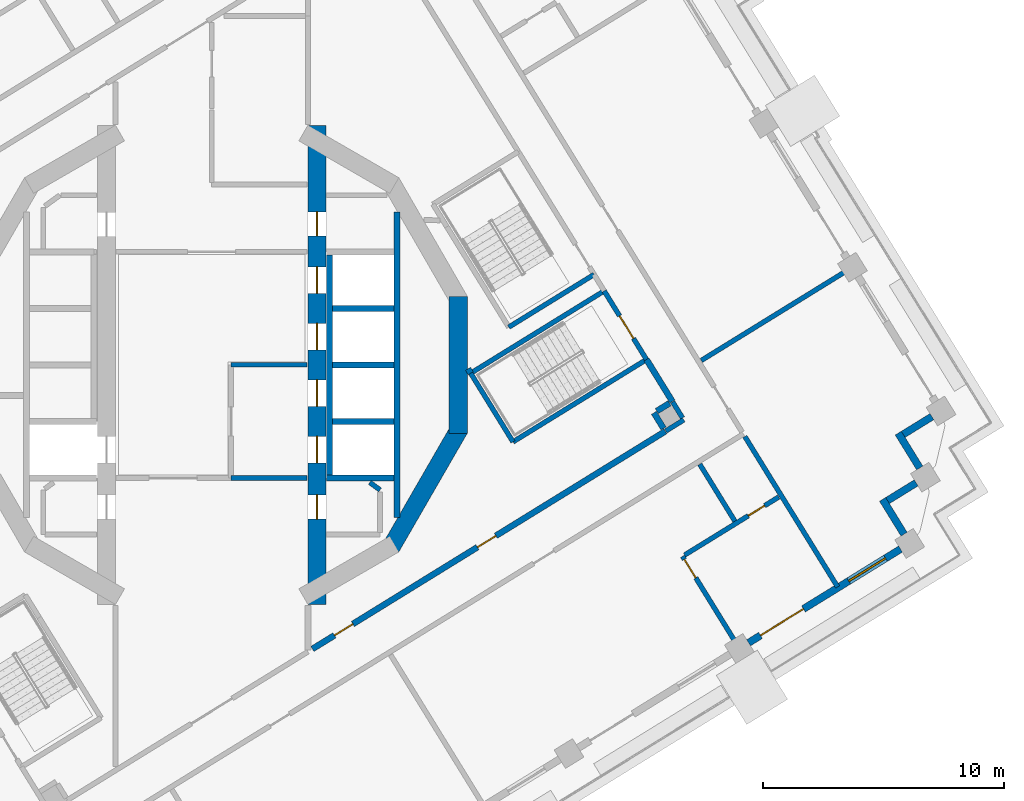
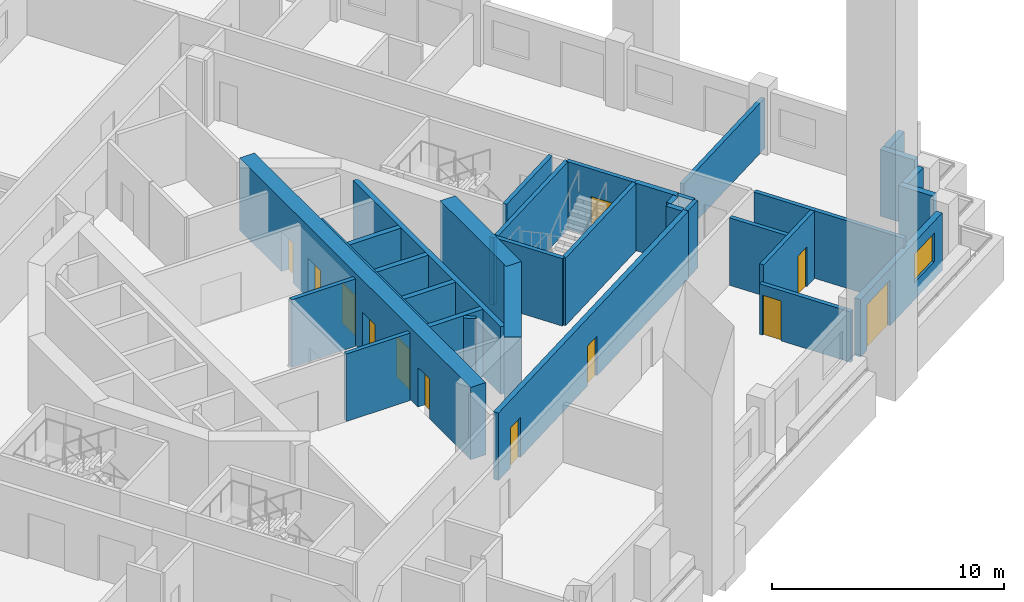
# One storey, part 5 of 19: 34 walls, 12 doors, 1 window, 13 openings.
"""IFC4 building model written with IfcOpenShell, lengths in metres."""

from ifc_helpers import new_model, si_unit, direction, frame, frame_2d, origin, place, context, subcontext, project, spatial, rectangle, extrude, material, layer, layer_set, type_object, element, fill, save


model = new_model("IFC4")

# Units and contexts
model_context = context("Model", 3, precision=1e-05, world=origin(), true_north=direction((0.0, 1.0)))
body_context = subcontext(model_context, "Body", "Model", "MODEL_VIEW")
ifc_project = project(units=[si_unit("LENGTHUNIT", "METRE"), si_unit("AREAUNIT", "SQUARE_METRE"), si_unit("VOLUMEUNIT", "CUBIC_METRE"), si_unit("PLANEANGLEUNIT", "RADIAN"), si_unit("MASSUNIT", "GRAM", prefix="KILO")], contexts=[model_context])

# Site, building, storey
site_placement = place(None, origin())
site = spatial("IfcSite", under=ifc_project, at=site_placement, CompositionType="ELEMENT")
building_placement = place(site_placement, origin())
building = spatial("IfcBuilding", under=site, at=building_placement, Name="Cantera Rosa Tower", CompositionType="ELEMENT")
storey_placement = place(building_placement, frame((0.0, 0.0, 147.60009765625)))
storey = spatial("IfcBuildingStorey", under=building, at=storey_placement, Name="L31", CompositionType="ELEMENT", Elevation=147.60009765625)

# Walls
ifc_material_1 = material(Name="Gypsum board partition")
ifc_layer_1 = layer(ifc_material_1, 0.199951171875)
ifc_layer_set_1 = layer_set([ifc_layer_1], Name="CORRIDOR WALL 200 H3550")
wall_type_1 = type_object("IfcWallType", Name="CORRIDOR WALL 200 H3550", PredefinedType="PARTITIONING", material=ifc_layer_set_1)
wall_1_placement = place(storey_placement, frame((18.874267578125, -2.7509765625, 0.0), z_axis=(0.0, 0.0, 1.0), x_axis=(0.851162606387, 0.524902102766, 0.0)))
element("IfcWall", 1, at=wall_1_placement, inside=storey, type_object=wall_type_1, Name="CORRIDOR WALL L31-107", PredefinedType="PARTITIONING", context=body_context, shape_type="SweptSolid", body=[
    extrude(rectangle(XDim=0.8798828125, YDim=0.199951171875, at=frame_2d((0.43994140625, 0.0))), origin(), (0.0, 0.0, 1.0), 3.5498046875),
])
wall_2_placement = place(storey_placement, frame((19.57080078125, -2.203857421875, 0.0), z_axis=(0.0, 0.0, 1.0), x_axis=(-0.524952958213, 0.851131242326, 0.0)))
element("IfcWall", 2, at=wall_2_placement, inside=storey, type_object=wall_type_1, Name="CORRIDOR WALL L31-111", PredefinedType="PARTITIONING", context=body_context, shape_type="SweptSolid", body=[
    extrude(rectangle(XDim=0.780029296875, YDim=0.199951171875, at=frame_2d((0.39013671875, 0.0))), origin(), (0.0, 0.0, 1.0), 3.5498046875),
])
ifc_material_2 = material(Name="Hollow clay masonry with cantera stone cladding", Category="masonry")
ifc_layer_2 = layer(ifc_material_2, 0.300048828125)
ifc_layer_set_2 = layer_set([ifc_layer_2], Name="EW-LOGGIA 300")
wall_type_2 = type_object("IfcWallType", Name="EW-LOGGIA 300", PredefinedType="SOLIDWALL", material=ifc_layer_set_2)
wall_3_placement = place(storey_placement, frame((28.7802734375, -7.0390625, 0.0), z_axis=(0.0, 0.0, 1.0), x_axis=(-0.524994468487, 0.851105638601, 0.0)))
element("IfcWall", 3, at=wall_3_placement, inside=storey, type_object=wall_type_2, Name="EN-L31-W27a", PredefinedType="SOLIDWALL", context=body_context, shape_type="SweptSolid", body=[
    extrude(rectangle(XDim=1.7001953125, YDim=0.300048828125, at=frame_2d((0.85009765625, 0.0))), origin(), (0.0, 0.0, 1.0), 3.5),
])
wall_4_placement = place(storey_placement, frame((28.09423828125, -5.64111328125, 0.0), z_axis=(0.0, 0.0, 1.0), x_axis=(0.851040987269, 0.525099264891, 0.0)))
element("IfcWall", 4, at=wall_4_placement, inside=storey, type_object=wall_type_2, Name="EN-L31-W27b", PredefinedType="SOLIDWALL", context=body_context, shape_type="SweptSolid", body=[
    extrude(rectangle(XDim=1.39990234375, YDim=0.300048828125, at=frame_2d((0.699951171875, 0.0))), origin(), (0.0, 0.0, 1.0), 3.5),
])
wall_5_placement = place(storey_placement, frame((29.4326171875, -4.286865234375, 0.0), z_axis=(0.0, 0.0, 1.0), x_axis=(-0.524994468487, 0.851105638601, 0.0)))
element("IfcWall", 5, at=wall_5_placement, inside=storey, type_object=wall_type_2, Name="EN-L31-W28a", PredefinedType="SOLIDWALL", context=body_context, shape_type="SweptSolid", body=[
    extrude(rectangle(XDim=1.7001953125, YDim=0.300048828125, at=frame_2d((0.85009765625, 0.0))), origin(), (0.0, 0.0, 1.0), 3.5),
])
wall_6_placement = place(storey_placement, frame((28.74658203125, -2.888916015625, 0.0), z_axis=(0.0, 0.0, 1.0), x_axis=(0.851040987269, 0.525099264891, 0.0)))
element("IfcWall", 6, at=wall_6_placement, inside=storey, type_object=wall_type_2, Name="EN-L31-W28b", PredefinedType="SOLIDWALL", context=body_context, shape_type="SweptSolid", body=[
    extrude(rectangle(XDim=1.39990234375, YDim=0.300048828125, at=frame_2d((0.699951171875, 0.0))), origin(), (0.0, 0.0, 1.0), 3.5),
])

# Wall, openings, window, door
ifc_material_3 = material(Name="Hollow clay masonry with cantera stone cladding", Category="masonry")
ifc_layer_3 = layer(ifc_material_3, 0.300048828125)
ifc_layer_set_3 = layer_set([ifc_layer_3], Name="EW-LOGGIA 300 H3020")
wall_type_3 = type_object("IfcWallType", Name="EW-LOGGIA 300 H3020", PredefinedType="SOLIDWALL", material=ifc_layer_set_3)
wall_7_placement = place(storey_placement, frame((22.318115234375, -11.5537109375, 0.0), z_axis=(0.0, 0.0, 1.0), x_axis=(0.851111085575, 0.524985637909, 0.0)))
wall_7 = element("IfcWall", 7, at=wall_7_placement, inside=storey, type_object=wall_type_3, Name="EN-L31-W26", PredefinedType="SOLIDWALL", context=body_context, shape_type="SweptSolid", body=[
    extrude(rectangle(XDim=7.420166015625, YDim=0.300048828125, at=frame_2d((3.7099609375, 0.0))), origin(), (0.0, 0.0, 1.0), 3.02001953125),
])
opening_1_placement = place(wall_7_placement, frame((0.580078125, 0.0, 0.0)))
opening_1 = element("IfcOpeningElement", 8, at=opening_1_placement, cuts=wall_7, Name="Opening L31-TD35", PredefinedType="OPENING", context=body_context, shape_type="SweptSolid", body=[
    extrude(rectangle(XDim=2.10009765625, YDim=2.39990234375, at=frame_2d((1.050048828125, 1.199951171875))), frame((0.0, 0.159912109375, 0.0), z_axis=(0.0, -1.0, 0.0), x_axis=(1.0, 0.0, 0.0)), (0.0, 0.0, 1.0), 0.320068359375),
])
opening_2_placement = place(wall_7_placement, frame((4.889892578125, 0.0, 0.89990234375)))
opening_2 = element("IfcOpeningElement", 9, at=opening_2_placement, cuts=wall_7, Name="Opening L31-W36", PredefinedType="OPENING", context=body_context, shape_type="SweptSolid", body=[
    extrude(rectangle(XDim=1.800048828125, YDim=1.5, at=frame_2d((0.89990234375, 0.75))), frame((0.0, 0.159912109375, 0.0), z_axis=(0.0, -1.0, 0.0), x_axis=(1.0, 0.0, 0.0)), (0.0, 0.0, 1.0), 0.320068359375),
])
ifc_material_4 = material(Name="Aluminium frame with clear glass", Category="aluminium")
window_type = type_object("IfcWindowType", Name="Hotel room window 1800x1500", PartitioningType="DOUBLE_PANEL_VERTICAL", PredefinedType="WINDOW", material=ifc_material_4)
window_placement = place(opening_2_placement, origin())
window = element("IfcWindow", 10, at=window_placement, inside=storey, type_object=window_type, Name="WINDOW L31-W36", OverallHeight=1.5, OverallWidth=1.800048828125, PartitioningType="SINGLE_PANEL", PredefinedType="WINDOW", context=body_context, shape_type="SweptSolid", body=[
    extrude(rectangle(XDim=1.800048828125, YDim=1.5, at=frame_2d((0.89990234375, 0.75))), frame((0.0, 0.030029296875, 0.0), z_axis=(0.0, -1.0, 0.0), x_axis=(1.0, 0.0, 0.0)), (0.0, 0.0, 1.0), 0.06005859375),
])
fill(opening_2, window)
ifc_material_5 = material(Name="Aluminium frame with clear glass", Category="aluminium")
door_type_1 = type_object("IfcDoorType", Name="TD-H 2100x2400", OperationType="NOTDEFINED", PredefinedType="DOOR", material=ifc_material_5)
door_1_placement = place(opening_1_placement, origin())
door_1 = element("IfcDoor", 11, at=door_1_placement, inside=storey, type_object=door_type_1, Name="LOGGIA DOOR L31-TD35", OperationType="SLIDING_TO_LEFT", OverallHeight=2.39990234375, OverallWidth=2.10009765625, PredefinedType="DOOR", context=body_context, shape_type="SweptSolid", body=[
    extrude(rectangle(XDim=2.10009765625, YDim=2.39990234375, at=frame_2d((1.050048828125, 1.199951171875))), frame((0.0, 0.02490234375, 0.0), z_axis=(0.0, -1.0, 0.0), x_axis=(1.0, 0.0, 0.0)), (0.0, 0.0, 1.0), 0.050048828125),
])
fill(opening_1, door_1)

# Wall, opening, door
ifc_material_6 = material(Name="Gypsum board partition")
ifc_layer_4 = layer(ifc_material_6, 0.199951171875)
ifc_layer_set_4 = layer_set([ifc_layer_4], Name="PARTITION 200 H2650")
wall_type_4 = type_object("IfcWallType", Name="PARTITION 200 H2650", PredefinedType="PARTITIONING", material=ifc_layer_set_4)
wall_8_placement = place(storey_placement, frame((21.91943359375, -11.764404296875, 0.0), z_axis=(0.0, 0.0, 1.0), x_axis=(-0.524962561963, 0.851125318938, 0.0)))
wall_8 = element("IfcWall", 12, at=wall_8_placement, inside=storey, type_object=wall_type_4, Name="PARTITION L31-113", PredefinedType="PARTITIONING", context=body_context, shape_type="SweptSolid", body=[
    extrude(rectangle(XDim=4.47021484375, YDim=0.199951171875, at=frame_2d((2.235107421875, 0.0))), origin(), (0.0, 0.0, 1.0), 2.64990234375),
])
opening_3_placement = place(wall_8_placement, frame((3.419921875, 0.0, 0.0)))
opening_3 = element("IfcOpeningElement", 13, at=opening_3_placement, cuts=wall_8, Name="Opening L31-035", PredefinedType="OPENING", context=body_context, shape_type="SweptSolid", body=[
    extrude(rectangle(XDim=0.89990234375, YDim=2.10009765625, at=frame_2d((0.449951171875, 1.050048828125))), frame((0.0, 0.10986328125, 0.0), z_axis=(0.0, -1.0, 0.0), x_axis=(1.0, 0.0, 0.0)), (0.0, 0.0, 1.0), 0.219970703125),
])
ifc_material_7 = material(Name="Timber door leaf", Category="wood")
door_type_2 = type_object("IfcDoorType", Name="ROOM DOOR 900x2100", OperationType="NOTDEFINED", PredefinedType="DOOR", material=ifc_material_7)
door_2_placement = place(opening_3_placement, origin())
door_2 = element("IfcDoor", 14, at=door_2_placement, inside=storey, type_object=door_type_2, Name="DOOR L31-035", OperationType="NOTDEFINED", OverallHeight=2.10009765625, OverallWidth=0.89990234375, PredefinedType="DOOR", context=body_context, shape_type="SweptSolid", body=[
    extrude(rectangle(XDim=0.89990234375, YDim=2.10009765625, at=frame_2d((0.449951171875, 1.050048828125))), frame((0.0, 0.02490234375, 0.0), z_axis=(0.0, -1.0, 0.0), x_axis=(1.0, 0.0, 0.0)), (0.0, 0.0, 1.0), 0.050048828125),
])
fill(opening_3, door_2)

# Walls
wall_9_placement = place(storey_placement, frame((26.610107421875, 4.04150390625, 0.0), z_axis=(0.0, 0.0, 1.0), x_axis=(-0.851109277096, -0.52498856982, 0.0)))
element("IfcWall", 15, at=wall_9_placement, inside=storey, type_object=wall_type_4, Name="PARTITION L31-116", PredefinedType="PARTITIONING", context=body_context, shape_type="SweptSolid", body=[
    extrude(rectangle(XDim=7.349853515625, YDim=0.199951171875, at=frame_2d((3.6748046875, 0.0))), origin(), (0.0, 0.0, 1.0), 2.64990234375),
])
ifc_material_8 = material(Name="Gypsum board partition")
ifc_layer_5 = layer(ifc_material_8, 0.199951171875)
ifc_layer_set_5 = layer_set([ifc_layer_5], Name="PARTITION 200 H3550")
wall_type_5 = type_object("IfcWallType", Name="PARTITION 200 H3550", PredefinedType="PARTITIONING", material=ifc_layer_set_5)
wall_10_placement = place(storey_placement, frame((6.572509765625, -4.888427734375, 0.0), z_axis=(0.0, 0.0, 1.0), x_axis=(0.808176867567, -0.588939853236, 0.0)))
element("IfcWall", 16, at=wall_10_placement, inside=storey, type_object=wall_type_5, Name="PARTITION L31-076", PredefinedType="PARTITIONING", context=body_context, shape_type="SweptSolid", body=[
    extrude(rectangle(XDim=0.529052734375, YDim=0.199951171875, at=frame_2d((0.2646484375, 0.0))), origin(), (0.0, 0.0, 1.0), 3.5498046875),
])

# Wall, opening, door
wall_11_placement = place(storey_placement, frame((19.657958984375, -7.9072265625, 0.0), z_axis=(0.0, 0.0, 1.0), x_axis=(0.851120278927, 0.524970733279, 0.0)))
wall_11 = element("IfcWall", 17, at=wall_11_placement, inside=storey, type_object=wall_type_5, Name="PARTITION L31-110", PredefinedType="PARTITIONING", context=body_context, shape_type="SweptSolid", body=[
    extrude(rectangle(XDim=4.599853515625, YDim=0.199951171875, at=frame_2d((2.2998046875, 0.0))), origin(), (0.0, 0.0, 1.0), 3.5498046875),
])
opening_4_placement = place(wall_11_placement, frame((3.110107421875, 0.0, 0.0)))
opening_4 = element("IfcOpeningElement", 18, at=opening_4_placement, cuts=wall_11, Name="Opening L31-036", PredefinedType="OPENING", context=body_context, shape_type="SweptSolid", body=[
    extrude(rectangle(XDim=0.800048828125, YDim=2.10009765625, at=frame_2d((0.39990234375, 1.050048828125))), frame((0.0, 0.10986328125, 0.0), z_axis=(0.0, -1.0, 0.0), x_axis=(1.0, 0.0, 0.0)), (0.0, 0.0, 1.0), 0.219970703125),
])
ifc_material_9 = material(Name="Timber door leaf", Category="wood")
door_type_3 = type_object("IfcDoorType", Name="BATHROOM DOOR 800x2100", OperationType="NOTDEFINED", PredefinedType="DOOR", material=ifc_material_9)
door_3_placement = place(opening_4_placement, origin())
door_3 = element("IfcDoor", 19, at=door_3_placement, inside=storey, type_object=door_type_3, Name="DOOR L31-036", OperationType="NOTDEFINED", OverallHeight=2.10009765625, OverallWidth=0.800048828125, PredefinedType="DOOR", context=body_context, shape_type="SweptSolid", body=[
    extrude(rectangle(XDim=0.800048828125, YDim=2.10009765625, at=frame_2d((0.39990234375, 1.050048828125))), frame((0.0, 0.02490234375, 0.0), z_axis=(0.0, -1.0, 0.0), x_axis=(1.0, 0.0, 0.0)), (0.0, 0.0, 1.0), 0.050048828125),
])
fill(opening_4, door_3)

# Walls
wall_12_placement = place(storey_placement, frame((21.750244140625, -6.499267578125, 0.0), z_axis=(0.0, 0.0, 1.0), x_axis=(-0.525008529336, 0.851096965172, 0.0)))
element("IfcWall", 20, at=wall_12_placement, inside=storey, type_object=wall_type_5, Name="PARTITION L31-112", PredefinedType="PARTITIONING", context=body_context, shape_type="SweptSolid", body=[
    extrude(rectangle(XDim=2.77978515625, YDim=0.199951171875, at=frame_2d((1.389892578125, 0.0))), origin(), (0.0, 0.0, 1.0), 3.5498046875),
])
ifc_material_10 = material(Name="Gypsum board partition")
ifc_layer_6 = layer(ifc_material_10, 0.199951171875)
ifc_layer_set_6 = layer_set([ifc_layer_6], Name="PARTY WALL 200 H3550")
wall_type_6 = type_object("IfcWallType", Name="PARTY WALL 200 H3550", PredefinedType="PARTITIONING", material=ifc_layer_set_6)
wall_13_placement = place(storey_placement, frame((26.021728515625, -9.23388671875, 0.0), z_axis=(0.0, 0.0, 1.0), x_axis=(-0.52498856982, 0.851109277096, 0.0)))
element("IfcWall", 21, at=wall_13_placement, inside=storey, type_object=wall_type_6, Name="PARTY WALL L31-115", PredefinedType="PARTITIONING", context=body_context, shape_type="SweptSolid", body=[
    extrude(rectangle(XDim=7.349853515625, YDim=0.199951171875, at=frame_2d((3.6748046875, 0.0))), origin(), (0.0, 0.0, 1.0), 3.5498046875),
])
ifc_material_11 = material(Name="Concrete C60/75", Category="concrete")
ifc_layer_7 = layer(ifc_material_11, 0.75)
ifc_layer_set_7 = layer_set([ifc_layer_7], Name="RC CORE WALL 750 C60/75")
wall_type_7 = type_object("IfcWallType", Name="RC CORE WALL 750 C60/75", PredefinedType="SHEAR", material=ifc_layer_set_7)
wall_14_placement = place(storey_placement, frame((10.250244140625, 2.846923828125, 0.0), z_axis=(0.0, 0.0, 1.0), x_axis=(0.0, -1.0, 0.0)))
element("IfcWall", 22, at=wall_14_placement, inside=storey, type_object=wall_type_7, Name="CW-E3 L31", PredefinedType="SHEAR", context=body_context, shape_type="SweptSolid", body=[
    extrude(rectangle(XDim=5.69384765625, YDim=0.75, at=frame_2d((2.846923828125, 0.0))), origin(), (0.0, 0.0, 1.0), 3.7998046875),
])
wall_15_placement = place(storey_placement, frame((10.300537109375, -2.659423828125, 0.0), z_axis=(0.0, 0.0, 1.0), x_axis=(-0.500021842983, -0.866012792365, 0.0)))
element("IfcWall", 23, at=wall_15_placement, inside=storey, type_object=wall_type_7, Name="CW-E4 L31", PredefinedType="SHEAR", context=body_context, shape_type="SweptSolid", body=[
    extrude(rectangle(XDim=5.694091796875, YDim=0.75, at=frame_2d((2.84716796875, 0.0))), origin(), (0.0, 0.0, 1.0), 3.7998046875),
])

# Wall, openings, doors
wall_16_placement = place(storey_placement, frame((4.375, -9.95947265625, 0.0), z_axis=(0.0, 0.0, 1.0), x_axis=(0.0, 1.0, 0.0)))
wall_16 = element("IfcWall", 24, at=wall_16_placement, inside=storey, type_object=wall_type_7, Name="CW-E6 L31", PredefinedType="SHEAR", context=body_context, shape_type="SweptSolid", body=[
    extrude(rectangle(XDim=19.9189453125, YDim=0.75, at=frame_2d((9.95947265625, 0.0))), origin(), (0.0, 0.0, 1.0), 3.7998046875),
])
opening_5_placement = place(wall_16_placement, frame((5.884521484375, 0.0, 0.0)))
opening_5 = element("IfcOpeningElement", 25, at=opening_5_placement, cuts=wall_16, Name="Opening LD-FF1-L31", PredefinedType="OPENING", context=body_context, shape_type="SweptSolid", body=[
    extrude(rectangle(XDim=1.10009765625, YDim=2.10009765625, at=frame_2d((0.550048828125, 1.050048828125))), frame((0.0, 0.385009765625, 0.0), z_axis=(0.0, -1.0, 0.0), x_axis=(1.0, 0.0, 0.0)), (0.0, 0.0, 1.0), 0.77001953125),
])
opening_6_placement = place(wall_16_placement, frame((8.234619140625, 0.0, 0.0)))
opening_6 = element("IfcOpeningElement", 26, at=opening_6_placement, cuts=wall_16, Name="Opening LD-FF2-L31", PredefinedType="OPENING", context=body_context, shape_type="SweptSolid", body=[
    extrude(rectangle(XDim=1.10009765625, YDim=2.10009765625, at=frame_2d((0.550048828125, 1.050048828125))), frame((0.0, 0.385009765625, 0.0), z_axis=(0.0, -1.0, 0.0), x_axis=(1.0, 0.0, 0.0)), (0.0, 0.0, 1.0), 0.77001953125),
])
opening_7_placement = place(wall_16_placement, frame((10.58447265625, 0.0, 0.0)))
opening_7 = element("IfcOpeningElement", 27, at=opening_7_placement, cuts=wall_16, Name="Opening LD-P1-L31", PredefinedType="OPENING", context=body_context, shape_type="SweptSolid", body=[
    extrude(rectangle(XDim=1.10009765625, YDim=2.10009765625, at=frame_2d((0.550048828125, 1.050048828125))), frame((0.0, 0.385009765625, 0.0), z_axis=(0.0, -1.0, 0.0), x_axis=(1.0, 0.0, 0.0)), (0.0, 0.0, 1.0), 0.77001953125),
])
opening_8_placement = place(wall_16_placement, frame((12.9345703125, 0.0, 0.0)))
opening_8 = element("IfcOpeningElement", 28, at=opening_8_placement, cuts=wall_16, Name="Opening LD-P2-L31", PredefinedType="OPENING", context=body_context, shape_type="SweptSolid", body=[
    extrude(rectangle(XDim=1.10009765625, YDim=2.10009765625, at=frame_2d((0.550048828125, 1.050048828125))), frame((0.0, 0.385009765625, 0.0), z_axis=(0.0, -1.0, 0.0), x_axis=(1.0, 0.0, 0.0)), (0.0, 0.0, 1.0), 0.77001953125),
])
opening_9_placement = place(wall_16_placement, frame((3.55078125, 0.0, 0.0)))
opening_9 = element("IfcOpeningElement", 29, at=opening_9_placement, cuts=wall_16, Name="Opening SD-L31-17", PredefinedType="OPENING", context=body_context, shape_type="SweptSolid", body=[
    extrude(rectangle(XDim=1.0, YDim=2.10009765625, at=frame_2d((0.5, 1.050048828125))), frame((0.0, 0.385009765625, 0.0), z_axis=(0.0, -1.0, 0.0), x_axis=(1.0, 0.0, 0.0)), (0.0, 0.0, 1.0), 0.77001953125),
])
opening_10_placement = place(wall_16_placement, frame((15.318115234375, 0.0, 0.0)))
opening_10 = element("IfcOpeningElement", 30, at=opening_10_placement, cuts=wall_16, Name="Opening SD-L31-18", PredefinedType="OPENING", context=body_context, shape_type="SweptSolid", body=[
    extrude(rectangle(XDim=1.0, YDim=2.10009765625, at=frame_2d((0.5, 1.050048828125))), frame((0.0, 0.385009765625, 0.0), z_axis=(0.0, -1.0, 0.0), x_axis=(1.0, 0.0, 0.0)), (0.0, 0.0, 1.0), 0.77001953125),
])
ifc_material_12 = material(Name="Steel S355J2 (EN 10025-2)", Category="steel")
door_type_4 = type_object("IfcDoorType", Name="LANDING DOOR 1100x2100", OperationType="NOTDEFINED", PredefinedType="DOOR", material=ifc_material_12)
door_4_placement = place(opening_5_placement, origin())
door_4 = element("IfcDoor", 31, at=door_4_placement, inside=storey, type_object=door_type_4, Name="LANDING DOOR FF1 L31", OperationType="SLIDING_TO_LEFT", OverallHeight=2.10009765625, OverallWidth=1.10009765625, PredefinedType="DOOR", context=body_context, shape_type="SweptSolid", body=[
    extrude(rectangle(XDim=1.10009765625, YDim=2.10009765625, at=frame_2d((0.550048828125, 1.050048828125))), frame((0.0, 0.02490234375, 0.0), z_axis=(0.0, -1.0, 0.0), x_axis=(1.0, 0.0, 0.0)), (0.0, 0.0, 1.0), 0.050048828125),
])
fill(opening_5, door_4)
door_5_placement = place(opening_6_placement, origin())
door_5 = element("IfcDoor", 32, at=door_5_placement, inside=storey, type_object=door_type_4, Name="LANDING DOOR FF2 L31", OperationType="SLIDING_TO_LEFT", OverallHeight=2.10009765625, OverallWidth=1.10009765625, PredefinedType="DOOR", context=body_context, shape_type="SweptSolid", body=[
    extrude(rectangle(XDim=1.10009765625, YDim=2.10009765625, at=frame_2d((0.550048828125, 1.050048828125))), frame((0.0, 0.02490234375, 0.0), z_axis=(0.0, -1.0, 0.0), x_axis=(1.0, 0.0, 0.0)), (0.0, 0.0, 1.0), 0.050048828125),
])
fill(opening_6, door_5)
door_6_placement = place(opening_7_placement, origin())
door_6 = element("IfcDoor", 33, at=door_6_placement, inside=storey, type_object=door_type_4, Name="LANDING DOOR P1 L31", OperationType="SLIDING_TO_LEFT", OverallHeight=2.10009765625, OverallWidth=1.10009765625, PredefinedType="DOOR", context=body_context, shape_type="SweptSolid", body=[
    extrude(rectangle(XDim=1.10009765625, YDim=2.10009765625, at=frame_2d((0.550048828125, 1.050048828125))), frame((0.0, 0.02490234375, 0.0), z_axis=(0.0, -1.0, 0.0), x_axis=(1.0, 0.0, 0.0)), (0.0, 0.0, 1.0), 0.050048828125),
])
fill(opening_7, door_6)
door_7_placement = place(opening_8_placement, origin())
door_7 = element("IfcDoor", 34, at=door_7_placement, inside=storey, type_object=door_type_4, Name="LANDING DOOR P2 L31", OperationType="SLIDING_TO_LEFT", OverallHeight=2.10009765625, OverallWidth=1.10009765625, PredefinedType="DOOR", context=body_context, shape_type="SweptSolid", body=[
    extrude(rectangle(XDim=1.10009765625, YDim=2.10009765625, at=frame_2d((0.550048828125, 1.050048828125))), frame((0.0, 0.02490234375, 0.0), z_axis=(0.0, -1.0, 0.0), x_axis=(1.0, 0.0, 0.0)), (0.0, 0.0, 1.0), 0.050048828125),
])
fill(opening_8, door_7)
ifc_material_13 = material(Name="Timber door leaf", Category="wood")
door_type_5 = type_object("IfcDoorType", Name="SERVICE DOOR 1000x2100", OperationType="NOTDEFINED", PredefinedType="DOOR", material=ifc_material_13)
door_8_placement = place(opening_9_placement, origin())
door_8 = element("IfcDoor", 35, at=door_8_placement, inside=storey, type_object=door_type_5, Name="DOOR L31-SD17", OperationType="NOTDEFINED", OverallHeight=2.10009765625, OverallWidth=1.0, PredefinedType="DOOR", context=body_context, shape_type="SweptSolid", body=[
    extrude(rectangle(XDim=1.0, YDim=2.10009765625, at=frame_2d((0.5, 1.050048828125))), frame((0.0, 0.02490234375, 0.0), z_axis=(0.0, -1.0, 0.0), x_axis=(1.0, 0.0, 0.0)), (0.0, 0.0, 1.0), 0.050048828125),
])
fill(opening_9, door_8)
door_9_placement = place(opening_10_placement, origin())
door_9 = element("IfcDoor", 36, at=door_9_placement, inside=storey, type_object=door_type_5, Name="DOOR L31-SD18", OperationType="NOTDEFINED", OverallHeight=2.10009765625, OverallWidth=1.0, PredefinedType="DOOR", context=body_context, shape_type="SweptSolid", body=[
    extrude(rectangle(XDim=1.0, YDim=2.10009765625, at=frame_2d((0.5, 1.050048828125))), frame((0.0, 0.02490234375, 0.0), z_axis=(0.0, -1.0, 0.0), x_axis=(1.0, 0.0, 0.0)), (0.0, 0.0, 1.0), 0.050048828125),
])
fill(opening_10, door_9)

ifc_material_14 = material(Name="Masonry blockwork", Category="masonry")
ifc_layer_8 = layer(ifc_material_14, 0.25)
ifc_layer_set_8 = layer_set([ifc_layer_8], Name="SHAFT WALL 250 H3550")
wall_type_8 = type_object("IfcWallType", Name="SHAFT WALL 250 H3550", PredefinedType="SOLIDWALL", material=ifc_layer_set_8)
wall_17_placement = place(storey_placement, frame((4.187255859375, -11.81005859375, 0.0), z_axis=(0.0, 0.0, 1.0), x_axis=(0.851119501836, 0.524971993153, 0.0)))
wall_17 = element("IfcWall", 37, at=wall_17_placement, inside=storey, type_object=wall_type_8, Name="SHAFT WALL L31-066", PredefinedType="SOLIDWALL", context=body_context, shape_type="SweptSolid", body=[
    extrude(rectangle(XDim=17.236328125, YDim=0.25, at=frame_2d((8.6181640625, 0.0))), origin(), (0.0, 0.0, 1.0), 3.5498046875),
])
opening_11_placement = place(wall_17_placement, frame((1.07568359375, 0.0, 0.0)))
opening_11 = element("IfcOpeningElement", 38, at=opening_11_placement, cuts=wall_17, Name="Opening L31-008", PredefinedType="OPENING", context=body_context, shape_type="SweptSolid", body=[
    extrude(rectangle(XDim=0.89990234375, YDim=2.10009765625, at=frame_2d((0.449951171875, 1.050048828125))), frame((0.0, 0.135009765625, 0.0), z_axis=(0.0, -1.0, 0.0), x_axis=(1.0, 0.0, 0.0)), (0.0, 0.0, 1.0), 0.27001953125),
])
opening_12_placement = place(wall_17_placement, frame((8.05810546875, 0.0, 0.0)))
opening_12 = element("IfcOpeningElement", 39, at=opening_12_placement, cuts=wall_17, Name="Opening L31-042", PredefinedType="OPENING", context=body_context, shape_type="SweptSolid", body=[
    extrude(rectangle(XDim=0.89990234375, YDim=2.10009765625, at=frame_2d((0.449951171875, 1.050048828125))), frame((0.0, 0.135009765625, 0.0), z_axis=(0.0, -1.0, 0.0), x_axis=(1.0, 0.0, 0.0)), (0.0, 0.0, 1.0), 0.27001953125),
])
ifc_material_15 = material(Name="Timber door leaf", Category="wood")
door_type_6 = type_object("IfcDoorType", Name="SERVICE DOOR 900x2100", OperationType="NOTDEFINED", PredefinedType="DOOR", material=ifc_material_15)
door_10_placement = place(opening_11_placement, origin())
door_10 = element("IfcDoor", 40, at=door_10_placement, inside=storey, type_object=door_type_6, Name="RISER DOOR L31-008", OperationType="NOTDEFINED", OverallHeight=2.10009765625, OverallWidth=0.89990234375, PredefinedType="DOOR", context=body_context, shape_type="SweptSolid", body=[
    extrude(rectangle(XDim=0.89990234375, YDim=2.10009765625, at=frame_2d((0.449951171875, 1.050048828125))), frame((0.0, 0.02490234375, 0.0), z_axis=(0.0, -1.0, 0.0), x_axis=(1.0, 0.0, 0.0)), (0.0, 0.0, 1.0), 0.050048828125),
])
fill(opening_11, door_10)
door_11_placement = place(opening_12_placement, origin())
door_11 = element("IfcDoor", 41, at=door_11_placement, inside=storey, type_object=door_type_6, Name="RISER DOOR L31-042", OperationType="NOTDEFINED", OverallHeight=2.10009765625, OverallWidth=0.89990234375, PredefinedType="DOOR", context=body_context, shape_type="SweptSolid", body=[
    extrude(rectangle(XDim=0.89990234375, YDim=2.10009765625, at=frame_2d((0.449951171875, 1.050048828125))), frame((0.0, 0.02490234375, 0.0), z_axis=(0.0, -1.0, 0.0), x_axis=(1.0, 0.0, 0.0)), (0.0, 0.0, 1.0), 0.050048828125),
])
fill(opening_12, door_11)

# Walls
for number, where, z_axis, x_axis, name in (
    (42, (5.014892578125, 0.0, 0.0), (0.0, 0.0, 1.0), (1.0, 0.0, 0.0), "SHAFT WALL L31-070"),
    (43, (5.014892578125, 2.35009765625, 0.0), (0.0, 0.0, 1.0), (1.0, 0.0, 0.0), "SHAFT WALL L31-071"),
):
    element("IfcWall", number, at=place(storey_placement, frame(where, z_axis=z_axis, x_axis=x_axis)), inside=storey, type_object=wall_type_8, Name=name, PredefinedType="SOLIDWALL", context=body_context, shape_type="SweptSolid", body=[
        extrude(rectangle(XDim=2.56005859375, YDim=0.25, at=frame_2d((1.280029296875, 0.0))), origin(), (0.0, 0.0, 1.0), 3.5498046875),
    ])
wall_18_placement = place(storey_placement, frame((4.89990234375, 4.574951171875, 0.0), z_axis=(0.0, 0.0, 1.0), x_axis=(0.0, -1.0, 0.0)))
element("IfcWall", 44, at=wall_18_placement, inside=storey, type_object=wall_type_8, Name="SHAFT WALL L31-074", PredefinedType="SOLIDWALL", context=body_context, shape_type="SweptSolid", body=[
    extrude(rectangle(XDim=9.14990234375, YDim=0.25, at=frame_2d((4.574951171875, 0.0))), origin(), (0.0, 0.0, 1.0), 3.5498046875),
])
wall_19_placement = place(storey_placement, frame((7.699951171875, -6.353515625, 0.0), z_axis=(0.0, 0.0, 1.0), x_axis=(0.0, 1.0, 0.0)))
element("IfcWall", 45, at=wall_19_placement, inside=storey, type_object=wall_type_8, Name="SHAFT WALL L31-085", PredefinedType="SOLIDWALL", context=body_context, shape_type="SweptSolid", body=[
    extrude(rectangle(XDim=12.70703125, YDim=0.25, at=frame_2d((6.353515625, 0.0))), origin(), (0.0, 0.0, 1.0), 3.5498046875),
])
wall_20_placement = place(storey_placement, frame((7.574951171875, -4.699951171875, 0.0), z_axis=(0.0, 0.0, 1.0), x_axis=(-1.0, 0.0, 0.0)))
element("IfcWall", 46, at=wall_20_placement, inside=storey, type_object=wall_type_8, Name="SHAFT WALL L31-086", PredefinedType="SOLIDWALL", context=body_context, shape_type="SweptSolid", body=[
    extrude(rectangle(XDim=2.794921875, YDim=0.25, at=frame_2d((1.3974609375, 0.0))), origin(), (0.0, 0.0, 1.0), 3.5498046875),
])
wall_21_placement = place(storey_placement, frame((7.574951171875, -2.35009765625, 0.0), z_axis=(0.0, 0.0, 1.0), x_axis=(-1.0, 0.0, 0.0)))
element("IfcWall", 47, at=wall_21_placement, inside=storey, type_object=wall_type_8, Name="SHAFT WALL L31-087", PredefinedType="SOLIDWALL", context=body_context, shape_type="SweptSolid", body=[
    extrude(rectangle(XDim=2.56005859375, YDim=0.25, at=frame_2d((1.280029296875, 0.0))), origin(), (0.0, 0.0, 1.0), 3.5498046875),
])
wall_22_placement = place(storey_placement, frame((10.6552734375, -0.16748046875, 0.0), z_axis=(0.0, 0.0, 1.0), x_axis=(0.524543682015, -0.851383536168, 0.0)))
element("IfcWall", 48, at=wall_22_placement, inside=storey, type_object=wall_type_8, Name="SHAFT WALL L31-093", PredefinedType="SOLIDWALL", context=body_context, shape_type="SweptSolid", body=[
    extrude(rectangle(XDim=0.213623046875, YDim=0.25, at=frame_2d((0.10693359375, 0.0))), origin(), (0.0, 0.0, 1.0), 3.5498046875),
])
wall_23_placement = place(storey_placement, frame((18.384765625, -1.99560546875, 0.0), z_axis=(0.0, 0.0, 1.0), x_axis=(0.52499344753, -0.851106268365, 0.0)))
element("IfcWall", 49, at=wall_23_placement, inside=storey, type_object=wall_type_8, Name="SHAFT WALL L31-106", PredefinedType="SOLIDWALL", context=body_context, shape_type="SweptSolid", body=[
    extrude(rectangle(XDim=0.759765625, YDim=0.25, at=frame_2d((0.3798828125, 0.0))), origin(), (0.0, 0.0, 1.0), 3.5498046875),
])
wall_24_placement = place(storey_placement, frame((19.15087890625, -1.52294921875, 0.0), z_axis=(0.0, 0.0, 1.0), x_axis=(-0.525087139425, 0.851048468661, 0.0)))
element("IfcWall", 50, at=wall_24_placement, inside=storey, type_object=wall_type_8, Name="SHAFT WALL L31-108", PredefinedType="SOLIDWALL", context=body_context, shape_type="SweptSolid", body=[
    extrude(rectangle(XDim=2.050048828125, YDim=0.25, at=frame_2d((1.02490234375, 0.0))), origin(), (0.0, 0.0, 1.0), 3.5498046875),
])
wall_25_placement = place(storey_placement, frame((19.031494140625, -1.596435546875, 0.0), z_axis=(0.0, 0.0, 1.0), x_axis=(-0.85092741859, -0.52528328385, 0.0)))
element("IfcWall", 51, at=wall_25_placement, inside=storey, type_object=wall_type_8, Name="SHAFT WALL L31-109", PredefinedType="SOLIDWALL", context=body_context, shape_type="SweptSolid", body=[
    extrude(rectangle(XDim=0.6201171875, YDim=0.25, at=frame_2d((0.31005859375, 0.0))), origin(), (0.0, 0.0, 1.0), 3.5498046875),
])
ifc_material_16 = material(Name="Concrete C50/60", Category="concrete")
ifc_layer_9 = layer(ifc_material_16, 0.199951171875)
ifc_layer_set_9 = layer_set([ifc_layer_9], Name="STAIR WALL 200 H3550")
wall_type_9 = type_object("IfcWallType", Name="STAIR WALL 200 H3550", PredefinedType="SOLIDWALL", material=ifc_layer_set_9)
for number, where, z_axis, x_axis, name in (
    (52, (0.800048828125, 0.0, 0.0), (0.0, 0.0, 1.0), (1.0, 0.0, 0.0), "STAIR WALL L31-063"),
    (53, (3.969970703125, -4.699951171875, 0.0), (0.0, 0.0, 1.0), (-1.0, 0.0, 0.0), "STAIR WALL L31-064"),
):
    element("IfcWall", number, at=place(storey_placement, frame(where, z_axis=z_axis, x_axis=x_axis)), inside=storey, type_object=wall_type_9, Name=name, PredefinedType="SOLIDWALL", context=body_context, shape_type="SweptSolid", body=[
        extrude(rectangle(XDim=3.169921875, YDim=0.199951171875, at=frame_2d((1.5849609375, 0.0))), origin(), (0.0, 0.0, 1.0), 3.5498046875),
    ])
wall_26_placement = place(storey_placement, frame((10.767333984375, -0.349365234375, 0.0), z_axis=(0.0, 0.0, 1.0), x_axis=(0.524938861495, -0.85113993661, 0.0)))
element("IfcWall", 54, at=wall_26_placement, inside=storey, type_object=wall_type_9, Name="STAIR WALL L31-094", PredefinedType="SOLIDWALL", context=body_context, shape_type="SweptSolid", body=[
    extrude(rectangle(XDim=3.35009765625, YDim=0.199951171875, at=frame_2d((1.675048828125, 0.0))), origin(), (0.0, 0.0, 1.0), 3.5498046875),
])
for number, where, z_axis, x_axis, name in (
    (55, (10.767333984375, -0.349365234375, 0.0), (0.0, 0.0, 1.0), (0.851120392665, 0.524970548879, 0.0), "STAIR WALL L31-095"),
    (56, (12.52587890625, -3.20068359375, 0.0), (0.0, 0.0, 1.0), (0.851120392665, 0.524970548879, 0.0), "STAIR WALL L31-097"),
):
    element("IfcWall", number, at=place(storey_placement, frame(where, z_axis=z_axis, x_axis=x_axis)), inside=storey, type_object=wall_type_9, Name=name, PredefinedType="SOLIDWALL", context=body_context, shape_type="SweptSolid", body=[
        extrude(rectangle(XDim=6.51904296875, YDim=0.199951171875, at=frame_2d((3.259521484375, 0.0))), origin(), (0.0, 0.0, 1.0), 3.5498046875),
    ])
wall_27_placement = place(storey_placement, frame((15.8955078125, 3.754638671875, 0.0), z_axis=(0.0, 0.0, 1.0), x_axis=(-0.851120688733, -0.524970068871, 0.0)))
element("IfcWall", 57, at=wall_27_placement, inside=storey, type_object=wall_type_9, Name="STAIR WALL L31-102", PredefinedType="SOLIDWALL", context=body_context, shape_type="SweptSolid", body=[
    extrude(rectangle(XDim=4.16650390625, YDim=0.199951171875, at=frame_2d((2.083251953125, 0.0))), origin(), (0.0, 0.0, 1.0), 3.5498046875),
])

# Wall, opening, door
wall_28_placement = place(storey_placement, frame((18.074462890625, 0.2216796875, 0.0), z_axis=(0.0, 0.0, 1.0), x_axis=(-0.524938861495, 0.85113993661, 0.0)))
wall_28 = element("IfcWall", 58, at=wall_28_placement, inside=storey, type_object=wall_type_9, Name="STAIR WALL L31-105", PredefinedType="SOLIDWALL", context=body_context, shape_type="SweptSolid", body=[
    extrude(rectangle(XDim=3.35009765625, YDim=0.199951171875, at=frame_2d((1.675048828125, 0.0))), origin(), (0.0, 0.0, 1.0), 3.5498046875),
])
opening_13_placement = place(wall_28_placement, frame((1.02978515625, 0.0, 0.0)))
opening_13 = element("IfcOpeningElement", 59, at=opening_13_placement, cuts=wall_28, Name="Opening L31-004", PredefinedType="OPENING", context=body_context, shape_type="SweptSolid", body=[
    extrude(rectangle(XDim=1.10009765625, YDim=2.10009765625, at=frame_2d((0.550048828125, 1.050048828125))), frame((0.0, 0.10986328125, 0.0), z_axis=(0.0, -1.0, 0.0), x_axis=(1.0, 0.0, 0.0)), (0.0, 0.0, 1.0), 0.219970703125),
])
ifc_material_17 = material(Name="Steel S355J2 (EN 10025-2)", Category="steel")
door_type_7 = type_object("IfcDoorType", Name="STAIR DOOR 1100x2100", OperationType="NOTDEFINED", PredefinedType="DOOR", material=ifc_material_17)
door_12_placement = place(opening_13_placement, origin())
door_12 = element("IfcDoor", 60, at=door_12_placement, inside=storey, type_object=door_type_7, Name="DOOR L31-004", OperationType="NOTDEFINED", OverallHeight=2.10009765625, OverallWidth=1.10009765625, PredefinedType="DOOR", context=body_context, shape_type="SweptSolid", body=[
    extrude(rectangle(XDim=1.10009765625, YDim=2.10009765625, at=frame_2d((0.550048828125, 1.050048828125))), frame((0.0, 0.02490234375, 0.0), z_axis=(0.0, -1.0, 0.0), x_axis=(1.0, 0.0, 0.0)), (0.0, 0.0, 1.0), 0.050048828125),
])
fill(opening_13, door_12)

save(model, "model.ifc")
